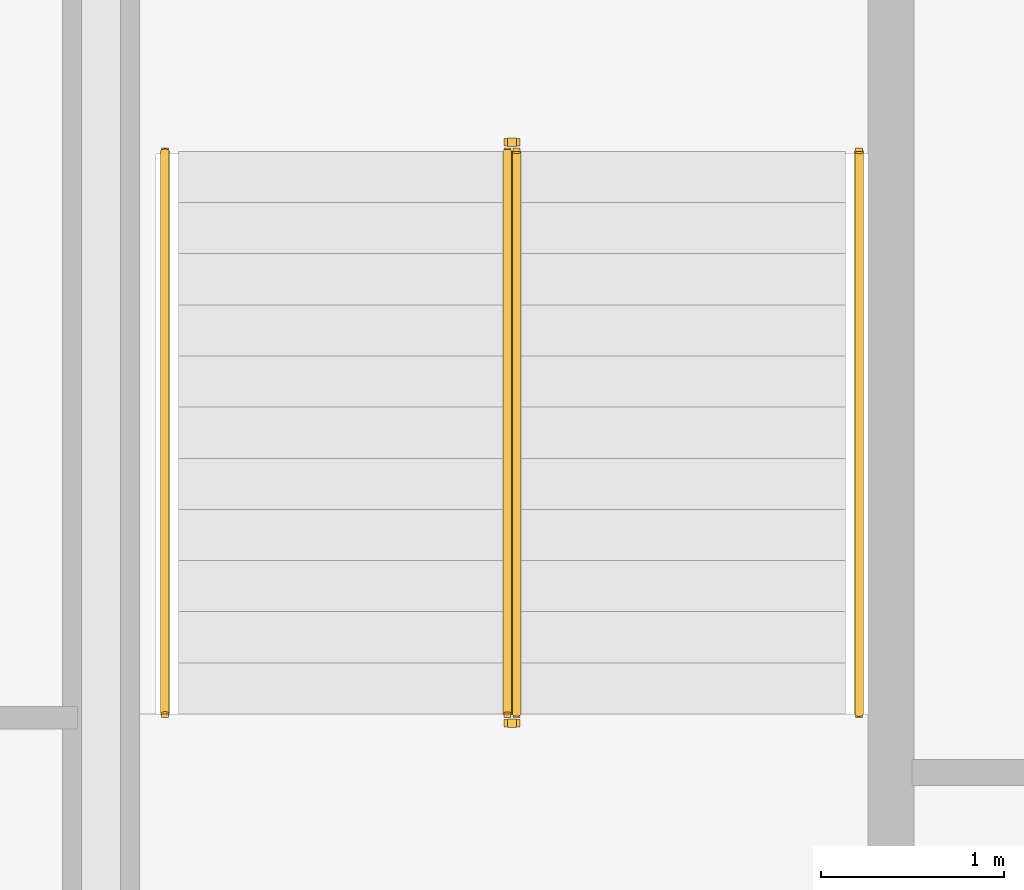
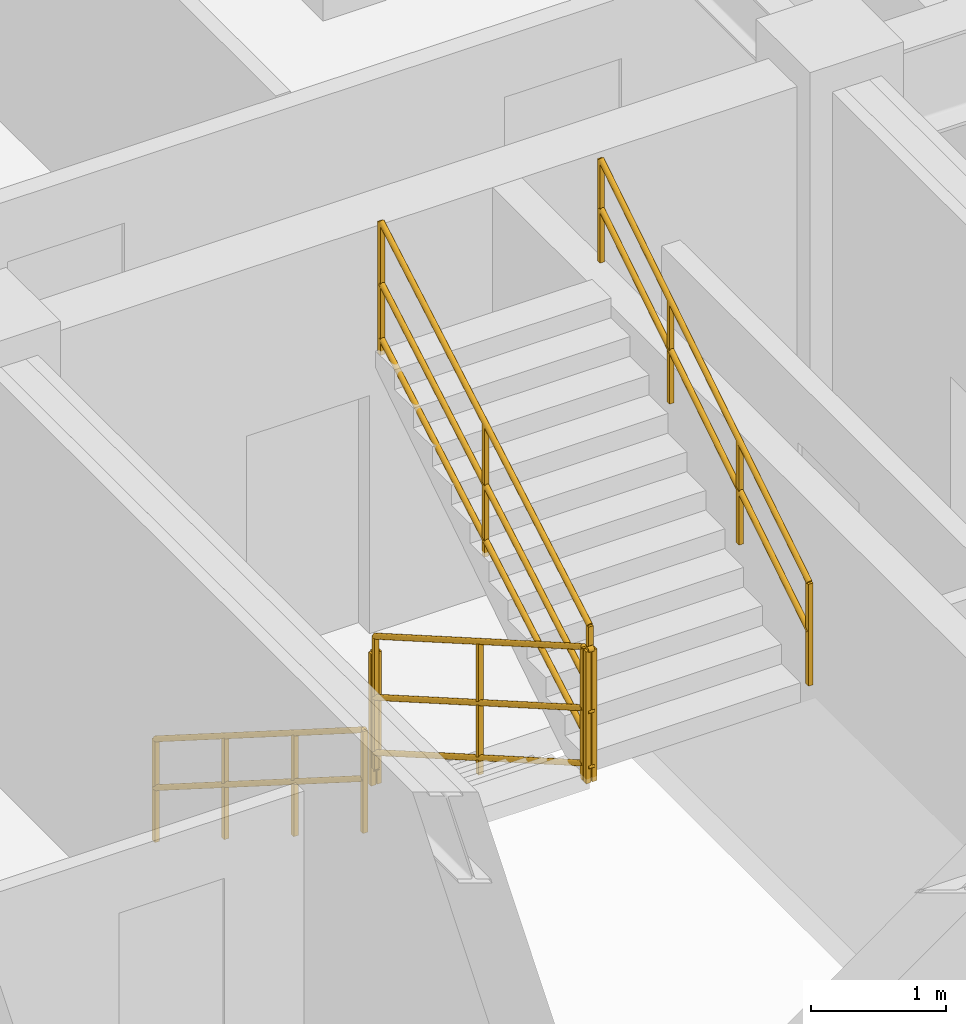
# One storey, part 10 of 10: 6 railings.
"""IFC4 building model written with IfcOpenShell, lengths in metres."""

from ifc_helpers import new_model, entity, si_unit, converted_unit, direction, frame, origin_with_axes, origin_2d_with_axis, place, context, subcontext, project, spatial, rectangle, circle, extrude, material, type_object, element, save


model = new_model("IFC4")

# Units and contexts
model_context = context("Model", 3, precision=1e-05, world=origin_with_axes(), true_north=direction((0.0, 1.0)))
body_context = subcontext(model_context, "Body", "Model", "MODEL_VIEW")
ifc_project = project(units=[si_unit("LENGTHUNIT", "METRE"), si_unit("AREAUNIT", "SQUARE_METRE"), si_unit("VOLUMEUNIT", "CUBIC_METRE"), converted_unit("PLANEANGLEUNIT", "DEGREE", entity("IfcPlaneAngleMeasure", 0.017453292519943295), si_unit("PLANEANGLEUNIT", "RADIAN"), dimensions=[0, 0, 0, 0, 0, 0, 0]), si_unit("MASSUNIT", "GRAM", prefix="KILO"), si_unit("THERMODYNAMICTEMPERATUREUNIT", "KELVIN")], contexts=[model_context])

# Site, building, storey
site_placement = place(None, origin_with_axes())
site = spatial("IfcSite", under=ifc_project, at=site_placement, CompositionType="ELEMENT")
building_placement = place(site_placement, origin_with_axes())
building = spatial("IfcBuilding", under=site, at=building_placement, Name="Varnlund Millrace Tower", CompositionType="ELEMENT")
storey_placement = place(building_placement, frame((0.0, 0.0, 276.3), z_axis=(0.0, 0.0, 1.0), x_axis=(1.0, 0.0, 0.0)))
storey = spatial("IfcBuildingStorey", under=building, at=storey_placement, Name="L68", CompositionType="ELEMENT", Elevation=276.3)

# Railings
ifc_material_1 = material(Name="Painted steel stair well balustrade guard", Category="steel")
railing_type_1 = type_object("IfcRailingType", Name="Type-StairGuard-1150", PredefinedType="GUARDRAIL", material=ifc_material_1)
railing_1_placement = place(storey_placement, frame((0.0, 0.0, -276.3), z_axis=(0.0, 0.0, 1.0), x_axis=(1.0, 0.0, 0.0)))
element("IfcRailing", 1, at=railing_1_placement, inside=storey, type_object=railing_type_1, Name="Type-StairGuard-1150", PredefinedType="GUARDRAIL", context=body_context, shape_type="SweptSolid", body=[
    extrude(circle(Radius=0.024, at=origin_2d_with_axis()), frame((13.625, 35.9, 277.627273), z_axis=(0.0, -0.866696, 0.498836), x_axis=(1.0, 0.0, 0.0)), (0.0, 0.0, 1.0), 3.553725),
    extrude(circle(Radius=0.024, at=origin_2d_with_axis()), frame((13.625, 35.9, 276.577273), z_axis=(0.0, -0.866696, 0.498836), x_axis=(1.0, 0.0, 0.0)), (0.0, 0.0, 1.0), 3.553725),
    extrude(circle(Radius=0.024, at=origin_2d_with_axis()), frame((13.625, 35.9, 277.075273), z_axis=(0.0, -0.866696, 0.498836), x_axis=(1.0, 0.0, 0.0)), (0.0, 0.0, 1.0), 3.553725),
    extrude(rectangle(XDim=0.04, YDim=0.04, at=origin_2d_with_axis()), frame((13.625, 35.9, 276.437273), z_axis=(0.0, 0.0, 1.0), x_axis=(1.0, 0.0, 0.0)), (0.0, 0.0, 1.0), 1.19),
    extrude(rectangle(XDim=0.04, YDim=0.04, at=origin_2d_with_axis()), frame((13.625, 34.36, 277.323636), z_axis=(0.0, 0.0, 1.0), x_axis=(1.0, 0.0, 0.0)), (0.0, 0.0, 1.0), 1.19),
    extrude(rectangle(XDim=0.04, YDim=0.04, at=origin_2d_with_axis()), frame((13.625, 32.82, 278.21), z_axis=(0.0, 0.0, 1.0), x_axis=(1.0, 0.0, 0.0)), (0.0, 0.0, 1.0), 1.19),
])
railing_2_placement = place(storey_placement, frame((0.0, 0.0, -276.3), z_axis=(0.0, 0.0, 1.0), x_axis=(1.0, 0.0, 0.0)))
element("IfcRailing", 2, at=railing_2_placement, inside=storey, type_object=railing_type_1, Name="Type-StairGuard-1150", PredefinedType="GUARDRAIL", context=body_context, shape_type="SweptSolid", body=[
    extrude(circle(Radius=0.024, at=origin_2d_with_axis()), frame((13.675, 32.77, 279.4), z_axis=(-1.0, 0.0, 0.0), x_axis=(0.0, -1.0, 0.0)), (0.0, 0.0, 1.0), 0.05),
    extrude(circle(Radius=0.024, at=origin_2d_with_axis()), frame((13.675, 32.77, 278.35), z_axis=(-1.0, 0.0, 0.0), x_axis=(0.0, -1.0, 0.0)), (0.0, 0.0, 1.0), 0.05),
    extrude(circle(Radius=0.024, at=origin_2d_with_axis()), frame((13.675, 32.77, 278.848), z_axis=(-1.0, 0.0, 0.0), x_axis=(0.0, -1.0, 0.0)), (0.0, 0.0, 1.0), 0.05),
    extrude(rectangle(XDim=0.04, YDim=0.04, at=origin_2d_with_axis()), frame((13.675, 32.77, 278.21), z_axis=(0.0, 0.0, 1.0), x_axis=(1.0, 0.0, 0.0)), (0.0, 0.0, 1.0), 1.19),
    extrude(rectangle(XDim=0.04, YDim=0.04, at=origin_2d_with_axis()), frame((13.625, 32.77, 278.21), z_axis=(0.0, 0.0, 1.0), x_axis=(1.0, 0.0, 0.0)), (0.0, 0.0, 1.0), 1.19),
])
railing_3_placement = place(storey_placement, frame((0.0, 0.0, -276.3), z_axis=(0.0, 0.0, 1.0), x_axis=(1.0, 0.0, 0.0)))
element("IfcRailing", 3, at=railing_3_placement, inside=storey, type_object=railing_type_1, Name="Type-StairGuard-1150", PredefinedType="GUARDRAIL", context=body_context, shape_type="SweptSolid", body=[
    extrude(circle(Radius=0.024, at=origin_2d_with_axis()), frame((13.675, 32.82, 279.577273), z_axis=(0.0, 0.866696, 0.498836), x_axis=(-1.0, 0.0, 0.0)), (0.0, 0.0, 1.0), 3.553725),
    extrude(circle(Radius=0.024, at=origin_2d_with_axis()), frame((13.675, 32.82, 278.527273), z_axis=(0.0, 0.866696, 0.498836), x_axis=(-1.0, 0.0, 0.0)), (0.0, 0.0, 1.0), 3.553725),
    extrude(circle(Radius=0.024, at=origin_2d_with_axis()), frame((13.675, 32.82, 279.025273), z_axis=(0.0, 0.866696, 0.498836), x_axis=(-1.0, 0.0, 0.0)), (0.0, 0.0, 1.0), 3.553725),
    extrude(rectangle(XDim=0.04, YDim=0.04, at=origin_2d_with_axis()), frame((13.675, 32.82, 278.387273), z_axis=(0.0, 0.0, 1.0), x_axis=(1.0, 0.0, 0.0)), (0.0, 0.0, 1.0), 1.19),
    extrude(rectangle(XDim=0.04, YDim=0.04, at=origin_2d_with_axis()), frame((13.675, 34.36, 279.273636), z_axis=(0.0, 0.0, 1.0), x_axis=(1.0, 0.0, 0.0)), (0.0, 0.0, 1.0), 1.19),
    extrude(rectangle(XDim=0.04, YDim=0.04, at=origin_2d_with_axis()), frame((13.675, 35.9, 280.16), z_axis=(0.0, 0.0, 1.0), x_axis=(1.0, 0.0, 0.0)), (0.0, 0.0, 1.0), 1.19),
])
railing_4_placement = place(storey_placement, frame((0.0, 0.0, -276.3), z_axis=(0.0, 0.0, 1.0), x_axis=(1.0, 0.0, 0.0)))
element("IfcRailing", 4, at=railing_4_placement, inside=storey, type_object=railing_type_1, Name="Type-StairGuard-1150", PredefinedType="GUARDRAIL", context=body_context, shape_type="SweptSolid", body=[
    extrude(circle(Radius=0.024, at=origin_2d_with_axis()), frame((13.675, 35.95, 277.45), z_axis=(-1.0, 0.0, 0.0), x_axis=(0.0, -1.0, 0.0)), (0.0, 0.0, 1.0), 0.05),
    extrude(circle(Radius=0.024, at=origin_2d_with_axis()), frame((13.675, 35.95, 276.4), z_axis=(-1.0, 0.0, 0.0), x_axis=(0.0, -1.0, 0.0)), (0.0, 0.0, 1.0), 0.05),
    extrude(circle(Radius=0.024, at=origin_2d_with_axis()), frame((13.675, 35.95, 276.898), z_axis=(-1.0, 0.0, 0.0), x_axis=(0.0, -1.0, 0.0)), (0.0, 0.0, 1.0), 0.05),
    extrude(rectangle(XDim=0.04, YDim=0.04, at=origin_2d_with_axis()), frame((13.675, 35.95, 276.26), z_axis=(0.0, 0.0, 1.0), x_axis=(1.0, 0.0, 0.0)), (0.0, 0.0, 1.0), 1.19),
    extrude(rectangle(XDim=0.04, YDim=0.04, at=origin_2d_with_axis()), frame((13.625, 35.95, 276.26), z_axis=(0.0, 0.0, 1.0), x_axis=(1.0, 0.0, 0.0)), (0.0, 0.0, 1.0), 1.19),
])
ifc_material_2 = material(Name="Brushed architectural bronze stair handrail", Category="aluminium")
railing_type_2 = type_object("IfcRailingType", Name="Type-StairHandrail-900", PredefinedType="HANDRAIL", material=ifc_material_2)
railing_5_placement = place(storey_placement, frame((0.0, 0.0, -276.3), z_axis=(0.0, 0.0, 1.0), x_axis=(1.0, 0.0, 0.0)))
element("IfcRailing", 5, at=railing_5_placement, inside=storey, type_object=railing_type_2, Name="Type-StairHandrail-900", PredefinedType="HANDRAIL", context=body_context, shape_type="SweptSolid", body=[
    extrude(circle(Radius=0.024, at=origin_2d_with_axis()), frame((11.75, 35.9, 277.356995), z_axis=(0.0, -0.844902, 0.534922), x_axis=(1.0, 0.0, 0.0)), (0.0, 0.0, 1.0), 3.645394),
    extrude(circle(Radius=0.024, at=origin_2d_with_axis()), frame((11.75, 35.9, 276.917134), z_axis=(0.0, -0.844902, 0.534922), x_axis=(1.0, 0.0, 0.0)), (0.0, 0.0, 1.0), 3.645394),
    extrude(rectangle(XDim=0.04, YDim=0.04, at=origin_2d_with_axis()), frame((11.75, 35.9, 276.437273), z_axis=(0.0, 0.0, 1.0), x_axis=(1.0, 0.0, 0.0)), (0.0, 0.0, 1.0), 0.919722),
    extrude(rectangle(XDim=0.04, YDim=0.04, at=origin_2d_with_axis()), frame((11.75, 34.873333, 277.087273), z_axis=(0.0, 0.0, 1.0), x_axis=(1.0, 0.0, 0.0)), (0.0, 0.0, 1.0), 0.919722),
    extrude(rectangle(XDim=0.04, YDim=0.04, at=origin_2d_with_axis()), frame((11.75, 33.846667, 277.737273), z_axis=(0.0, 0.0, 1.0), x_axis=(1.0, 0.0, 0.0)), (0.0, 0.0, 1.0), 0.919722),
    extrude(rectangle(XDim=0.04, YDim=0.04, at=origin_2d_with_axis()), frame((11.75, 32.82, 278.387273), z_axis=(0.0, 0.0, 1.0), x_axis=(1.0, 0.0, 0.0)), (0.0, 0.0, 1.0), 0.919722),
])
railing_6_placement = place(storey_placement, frame((0.0, 0.0, -276.3), z_axis=(0.0, 0.0, 1.0), x_axis=(1.0, 0.0, 0.0)))
element("IfcRailing", 6, at=railing_6_placement, inside=storey, type_object=railing_type_2, Name="Type-StairHandrail-900", PredefinedType="HANDRAIL", context=body_context, shape_type="SweptSolid", body=[
    extrude(circle(Radius=0.024, at=origin_2d_with_axis()), frame((15.55, 32.82, 279.306995), z_axis=(0.0, 0.844902, 0.534922), x_axis=(-1.0, 0.0, 0.0)), (0.0, 0.0, 1.0), 3.645394),
    extrude(circle(Radius=0.024, at=origin_2d_with_axis()), frame((15.55, 32.82, 278.867134), z_axis=(0.0, 0.844902, 0.534922), x_axis=(-1.0, 0.0, 0.0)), (0.0, 0.0, 1.0), 3.645394),
    extrude(rectangle(XDim=0.04, YDim=0.04, at=origin_2d_with_axis()), frame((15.55, 32.82, 278.387273), z_axis=(0.0, 0.0, 1.0), x_axis=(1.0, 0.0, 0.0)), (0.0, 0.0, 1.0), 0.919722),
    extrude(rectangle(XDim=0.04, YDim=0.04, at=origin_2d_with_axis()), frame((15.55, 33.846667, 279.037273), z_axis=(0.0, 0.0, 1.0), x_axis=(1.0, 0.0, 0.0)), (0.0, 0.0, 1.0), 0.919722),
    extrude(rectangle(XDim=0.04, YDim=0.04, at=origin_2d_with_axis()), frame((15.55, 34.873333, 279.687273), z_axis=(0.0, 0.0, 1.0), x_axis=(1.0, 0.0, 0.0)), (0.0, 0.0, 1.0), 0.919722),
    extrude(rectangle(XDim=0.04, YDim=0.04, at=origin_2d_with_axis()), frame((15.55, 35.9, 280.337273), z_axis=(0.0, 0.0, 1.0), x_axis=(1.0, 0.0, 0.0)), (0.0, 0.0, 1.0), 0.919722),
])

save(model, "model.ifc")
